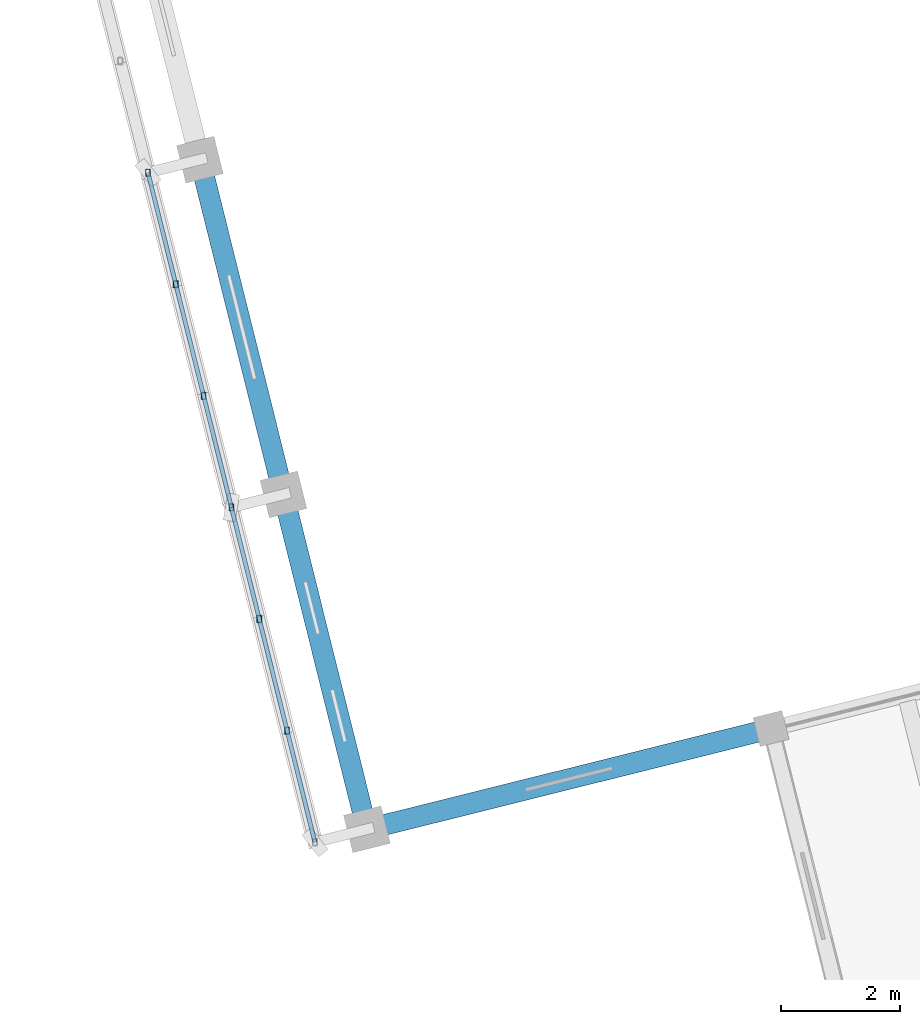
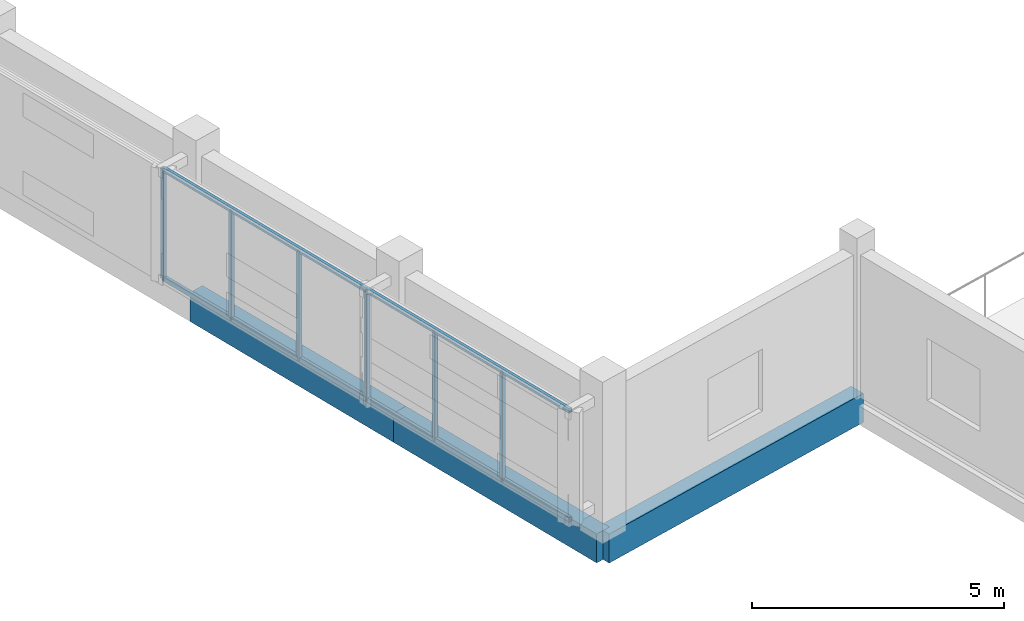
# One storey, part 5 of 117: 10 members, 3 beams.
"""IFC4 building model written with IfcOpenShell, lengths in metres."""

from ifc_helpers import new_model, si_unit, direction, frame, origin, origin_2d, place, context, subcontext, project, spatial, rectangle, hollow_rectangle, extrude, material, material_profile, profile_set, type_object, element, save


model = new_model("IFC4")

# Units and contexts
model_context = context("Model", 3, precision=1e-05, world=origin(), true_north=direction((0.0, 1.0)))
body_context = subcontext(model_context, "Body", "Model", "MODEL_VIEW")
ifc_project = project(units=[si_unit("LENGTHUNIT", "METRE"), si_unit("AREAUNIT", "SQUARE_METRE"), si_unit("VOLUMEUNIT", "CUBIC_METRE"), si_unit("PLANEANGLEUNIT", "RADIAN"), si_unit("MASSUNIT", "GRAM", prefix="KILO")], contexts=[model_context])

# Site, building, storey
site_placement = place(None, origin())
site = spatial("IfcSite", under=ifc_project, at=site_placement, CompositionType="ELEMENT")
building_placement = place(site_placement, origin())
building = spatial("IfcBuilding", under=site, at=building_placement, Name="Cinderway Yard Community Centre", CompositionType="ELEMENT")
storey_placement = place(building_placement, frame((0.0, 0.0, 9.0)))
storey = spatial("IfcBuildingStorey", under=building, at=storey_placement, Name="L02", CompositionType="ELEMENT", Elevation=9.0)

# Members
ifc_material_1 = material(Name="Steel S355", Category="steel")
ifc_material_profile_1 = material_profile(ifc_material_1, hollow_rectangle(XDim=0.080078125, YDim=0.1201171875, WallThickness=0.00634765625, InnerFilletRadius=0.00634765625, OuterFilletRadius=0.0126953125, at=origin_2d()), Name="Steel S355")
ifc_profile_set_1 = profile_set([ifc_material_profile_1], Name="Steel S355")
member_type = type_object("IfcMemberType", Name="ENV-MEM-SCREEN-RAIL-120", PredefinedType="STRINGER", material=ifc_profile_set_1)
for number, where, z_axis, x_axis, name in (
    (1, (18.93603515625, 24.89892578125, 0.7099609375), (-0.241891840607, 0.970303219333, 0.0), (-0.970303219333, -0.241891840607, 0.0), "Screen support rail 0854-BOT"),
    (2, (18.93603515625, 24.89892578125, 3.340087890625), (-0.241891840607, 0.970303219333, 0.0), (-0.970303219333, -0.241891840607, 0.0), "Screen support rail 0855-TOP"),
):
    element("IfcMember", number, at=place(storey_placement, frame(where, z_axis=z_axis, x_axis=x_axis)), inside=storey, type_object=member_type, Name=name, PredefinedType="STRINGER", context=body_context, shape_type="SweptSolid", body=[
        extrude(hollow_rectangle(XDim=0.080078125, YDim=0.1201171875, WallThickness=0.00634765625, InnerFilletRadius=0.00634765625, OuterFilletRadius=0.0126953125, at=origin_2d()), origin(), (0.0, 0.0, 1.0), 5.800537109375),
    ])
for number, where, z_axis, x_axis, name in (
    (3, (18.468017578125, 26.77490234375, 0.68994140625), (0.0, 0.0, 1.0), (1.0, 0.0, 0.0), "Screen vertical mullion 0857"),
    (4, (18.0009765625, 28.65087890625, 0.68994140625), (0.0, 0.0, 1.0), (1.0, 0.0, 0.0), "Screen vertical mullion 0858"),
    (5, (17.532958984375, 30.527099609375, 0.68994140625), (0.0, 0.0, 1.0), (1.0, 0.0, 0.0), "Screen vertical mullion 0859"),
):
    element("IfcMember", number, at=place(storey_placement, frame(where, z_axis=z_axis, x_axis=x_axis)), inside=storey, type_object=member_type, Name=name, PredefinedType="STRINGER", context=body_context, shape_type="SweptSolid", body=[
        extrude(hollow_rectangle(XDim=0.080078125, YDim=0.1201171875, WallThickness=0.00634765625, InnerFilletRadius=0.00634765625, OuterFilletRadius=0.0126953125, at=origin_2d()), origin(), (0.0, 0.0, 1.0), 2.670166015625),
    ])
for number, where, z_axis, x_axis, name in (
    (6, (17.532958984375, 30.527099609375, 0.7099609375), (-0.241941244896, 0.97029090175, 0.0), (-0.97029090175, -0.241941244896, 0.0), "Screen support rail 0861-BOT"),
    (7, (17.532958984375, 30.527099609375, 3.340087890625), (-0.241941244896, 0.97029090175, 0.0), (-0.97029090175, -0.241941244896, 0.0), "Screen support rail 0862-TOP"),
):
    element("IfcMember", number, at=place(storey_placement, frame(where, z_axis=z_axis, x_axis=x_axis)), inside=storey, type_object=member_type, Name=name, PredefinedType="STRINGER", context=body_context, shape_type="SweptSolid", body=[
        extrude(hollow_rectangle(XDim=0.080078125, YDim=0.1201171875, WallThickness=0.00634765625, InnerFilletRadius=0.00634765625, OuterFilletRadius=0.0126953125, at=origin_2d()), origin(), (0.0, 0.0, 1.0), 5.79931640625),
    ])
for number, where, z_axis, x_axis, name in (
    (8, (17.06494140625, 32.403076171875, 0.68994140625), (0.0, 0.0, 1.0), (1.0, 0.0, 0.0), "Screen vertical mullion 0863"),
    (9, (16.597900390625, 34.278076171875, 0.68994140625), (0.0, 0.0, 1.0), (1.0, 0.0, 0.0), "Screen vertical mullion 0864"),
    (10, (16.1298828125, 36.154052734375, 0.68994140625), (0.0, 0.0, 1.0), (1.0, 0.0, 0.0), "Screen vertical mullion 0865"),
):
    element("IfcMember", number, at=place(storey_placement, frame(where, z_axis=z_axis, x_axis=x_axis)), inside=storey, type_object=member_type, Name=name, PredefinedType="STRINGER", context=body_context, shape_type="SweptSolid", body=[
        extrude(hollow_rectangle(XDim=0.080078125, YDim=0.1201171875, WallThickness=0.00634765625, InnerFilletRadius=0.00634765625, OuterFilletRadius=0.0126953125, at=origin_2d()), origin(), (0.0, 0.0, 1.0), 2.670166015625),
    ])

# Beams
ifc_material_2 = material(Name="Concrete C35/45", Category="concrete")
ifc_material_profile_2 = material_profile(ifc_material_2, rectangle(XDim=0.35009765625, YDim=0.699951171875, at=origin_2d()), Name="Concrete C35/45")
ifc_profile_set_2 = profile_set([ifc_material_profile_2], Name="Concrete C35/45")
beam_type = type_object("IfcBeamType", Name="STR-BM-RC350X700", PredefinedType="BEAM", material=ifc_profile_set_2)
beam_1_placement = place(storey_placement, frame((19.80908203125, 25.116943359375, -0.35009765625), z_axis=(-0.241891840607, 0.970303219333, 0.0), x_axis=(-0.970303219333, -0.241891840607, 0.0)))
element("IfcBeam", 11, at=beam_1_placement, inside=storey, type_object=beam_type, Name="Main Hall west ring beam STR-BM-L02-BG07-0387", PredefinedType="BEAM", context=body_context, shape_type="SweptSolid", body=[
    extrude(rectangle(XDim=0.35009765625, YDim=0.699951171875, at=origin_2d()), origin(), (0.0, 0.0, 1.0), 5.800537109375),
])
beam_2_placement = place(storey_placement, frame((18.406005859375, 30.7451171875, -0.35009765625), z_axis=(-0.241941244896, 0.97029090175, 0.0), x_axis=(-0.97029090175, -0.241941244896, 0.0)))
element("IfcBeam", 12, at=beam_2_placement, inside=storey, type_object=beam_type, Name="Main Hall west ring beam STR-BM-L02-BG07-0388", PredefinedType="BEAM", context=body_context, shape_type="SweptSolid", body=[
    extrude(rectangle(XDim=0.35009765625, YDim=0.699951171875, at=origin_2d()), origin(), (0.0, 0.0, 1.0), 5.79931640625),
])
beam_3_placement = place(storey_placement, frame((19.80908203125, 25.116943359375, -0.35009765625), z_axis=(0.970314570401, 0.241846303398, 0.0), x_axis=(-0.241846303398, 0.970314570401, 0.0)))
element("IfcBeam", 13, at=beam_3_placement, inside=storey, type_object=beam_type, Name="Main Hall return ring beam STR-BM-L02-BG07-0431", PredefinedType="BEAM", context=body_context, shape_type="SweptSolid", body=[
    extrude(rectangle(XDim=0.35009765625, YDim=0.699951171875, at=origin_2d()), origin(), (0.0, 0.0, 1.0), 7.000732421875),
])

save(model, "model.ifc")
